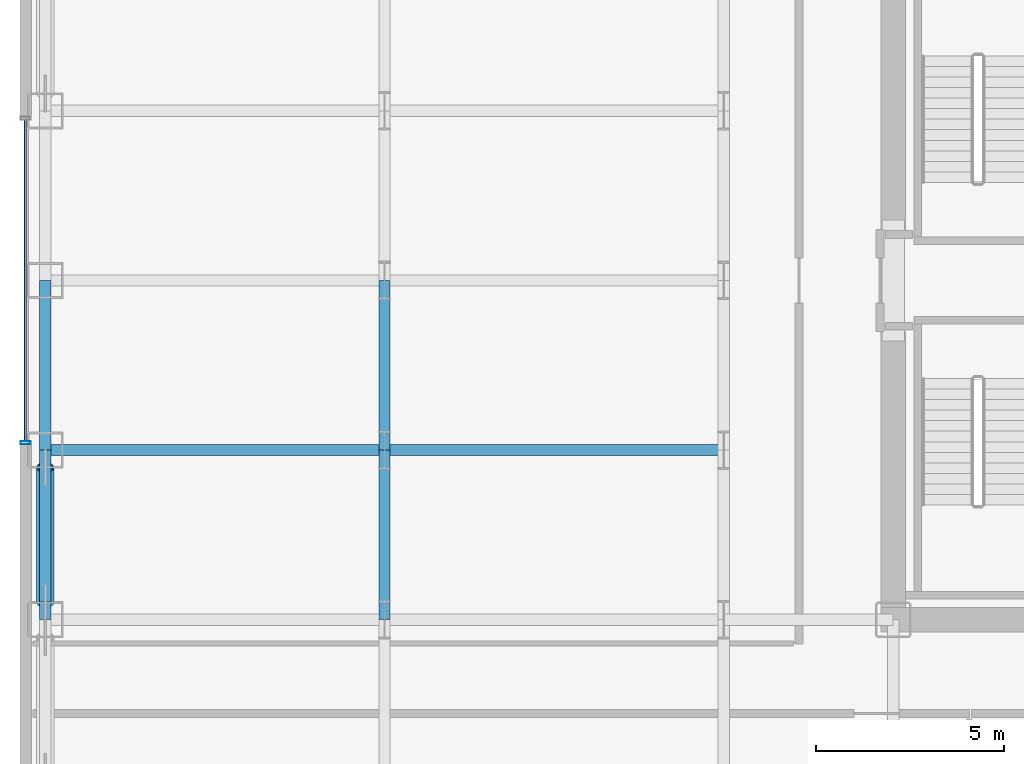
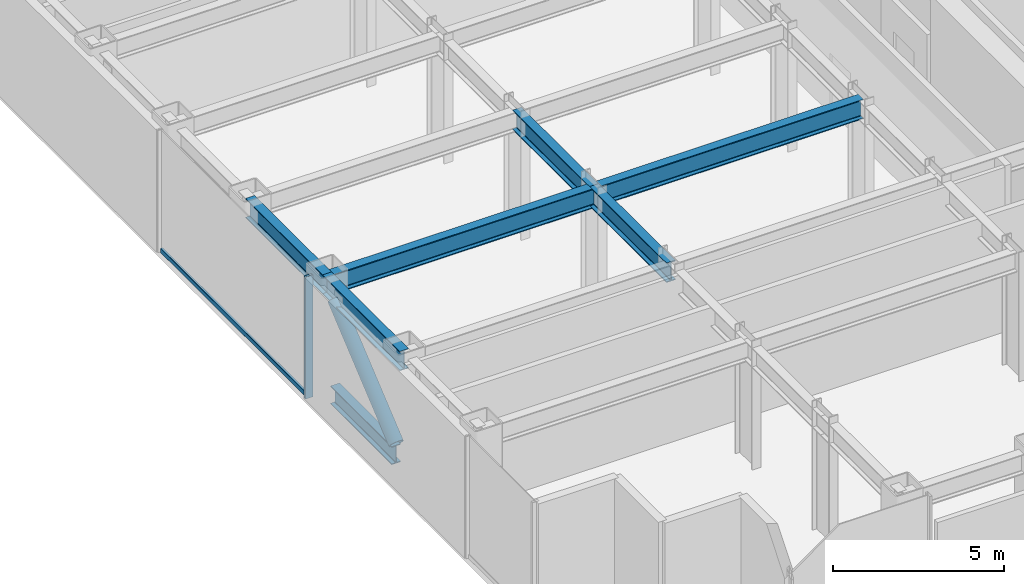
# One storey, part 5 of 30: 6 beams, 4 members, 1 element without a shape of its own.
"""IFC4 building model written with IfcOpenShell, lengths in metres."""

import ifcopenshell
import ifcopenshell.guid

model = None  # the IFC model being written
_history = None  # IfcOwnerHistory: only IFC2X3 demands one
_inside = {}  # id of a spatial element -> (the spatial element, [elements in it])
_under = {}  # id of a project, library or spatial element -> (it, [spatial elements below it])
_declared = {}  # id of a project -> (the project, [libraries it declares])
_typed = {}  # id of a type object -> (the type object, [elements of that type])
_made_of = {}  # id of a material, layer set ... -> (it, [elements and type objects made of it])


def new_model(schema):
    """Start an empty IFC model of exactly this schema.

    Asked for "IFC4X3", IfcOpenShell would pick the latest addendum, in which some entities
    have other attributes; the version numbers below select the first issue.
    IFC2X3 requires an IfcOwnerHistory on every rooted entity: one is made here for all.
    """
    global model, _history
    if schema == "IFC4X3":
        model = ifcopenshell.file(schema_version=(4, 3, 0, 0))
    else:
        model = ifcopenshell.file(schema=schema)
    _inside.clear()
    _under.clear()
    _declared.clear()
    _typed.clear()
    _made_of.clear()
    _history = None
    if model.schema == "IFC2X3":
        org = make("IfcOrganization", Name="unknown")
        user = make(
            "IfcPersonAndOrganization",
            ThePerson=make("IfcPerson", FamilyName="unknown"),
            TheOrganization=org,
        )
        app = make(
            "IfcApplication",
            ApplicationDeveloper=org,
            Version="unknown",
            ApplicationFullName="unknown",
            ApplicationIdentifier="unknown",
        )
        _history = make(
            "IfcOwnerHistory",
            OwningUser=user,
            OwningApplication=app,
            ChangeAction="ADDED",
            CreationDate=0,
        )
    return model


def make(cls, **values):
    """One entity of the class cls with the attributes given. An attribute that is None is left unset."""
    return model.create_entity(
        cls, **{name: value for name, value in values.items() if value is not None}
    )


def rooted(cls, **values):
    """An entity with a GlobalId (a new one), such as an element, a storey or a relation."""
    return make(cls, GlobalId=ifcopenshell.guid.new(), OwnerHistory=_history, **values)


def si_unit(unit_type, name, prefix=None):
    """IfcSIUnit, for example si_unit("LENGTHUNIT", "METRE", prefix="MILLI")."""
    return make("IfcSIUnit", UnitType=unit_type, Prefix=prefix, Name=name)


def assignment(units):
    """IfcUnitAssignment: the units of a project."""
    return None if units is None else make("IfcUnitAssignment", Units=units)


def point(xyz):
    """IfcCartesianPoint."""
    return None if xyz is None else make("IfcCartesianPoint", Coordinates=xyz)


def direction(xyz):
    """IfcDirection."""
    return None if xyz is None else make("IfcDirection", DirectionRatios=xyz)


def frame(location, z_axis=None, x_axis=None):
    """IfcAxis2Placement3D, a coordinate frame: its origin and axes. An axis left out is left unset."""
    return make(
        "IfcAxis2Placement3D",
        Location=point(location),
        Axis=direction(z_axis),
        RefDirection=direction(x_axis),
    )


def frame_2d(location, x_axis=None):
    """IfcAxis2Placement2D, a coordinate frame in the plane: its origin and x axis."""
    return make(
        "IfcAxis2Placement2D", Location=point(location), RefDirection=direction(x_axis)
    )


def origin():
    """The frame at (0, 0, 0) with its axes left unset."""
    return frame((0.0, 0.0, 0.0))


def origin_2d():
    """The frame at (0, 0) in the plane with its x axis left unset."""
    return frame_2d((0.0, 0.0))


def place(relative_to, where):
    """IfcLocalPlacement: puts the frame where relative to a parent placement (None: the world)."""
    return make(
        "IfcLocalPlacement", PlacementRelTo=relative_to, RelativePlacement=where
    )


def context(
    kind, dimensions, precision=None, world=None, true_north=None, identifier=None
):
    """IfcGeometricRepresentationContext, for example the 3D "Model" context."""
    return make(
        "IfcGeometricRepresentationContext",
        ContextIdentifier=identifier,
        ContextType=kind,
        CoordinateSpaceDimension=dimensions,
        Precision=precision,
        WorldCoordinateSystem=world,
        TrueNorth=true_north,
    )


def subcontext(parent, identifier, kind, view, scale=None):
    """IfcGeometricRepresentationSubContext, for example "Body" below "Model"."""
    return make(
        "IfcGeometricRepresentationSubContext",
        ContextIdentifier=identifier,
        ContextType=kind,
        ParentContext=parent,
        TargetScale=scale,
        TargetView=view,
    )


def project(units=None, contexts=None):
    """IfcProject with its units and contexts."""
    return rooted(
        "IfcProject",
        Name="project",
        RepresentationContexts=contexts,
        UnitsInContext=assignment(units),
    )


def spatial(cls, under=None, at=None, **own):
    """A site, building, storey or space (cls), placed at a placement, below another one or the project."""
    s = rooted(cls, ObjectPlacement=at, **own)
    if under is not None:
        _under.setdefault(under.id(), (under, []))[1].append(s)
    return s


def profile(cls, at=None, kind="AREA", **sizes):
    """A parametric profile (cls). Its sizes go by their IFC names, for example OverallWidth=200.0."""
    return make(cls, ProfileType=kind, Position=at, **sizes)


def hollow_rectangle(**sizes):
    """IfcRectangleHollowProfileDef."""
    return profile("IfcRectangleHollowProfileDef", **sizes)


def hollow_circle(**sizes):
    """IfcCircleHollowProfileDef."""
    return profile("IfcCircleHollowProfileDef", **sizes)


def i_section(**sizes):
    """IfcIShapeProfileDef."""
    return profile("IfcIShapeProfileDef", **sizes)


def extrude(swept, where, along, depth):
    """IfcExtrudedAreaSolid: the profile swept, set in the frame where, extruded along a direction by depth."""
    return make(
        "IfcExtrudedAreaSolid",
        SweptArea=swept,
        Position=where,
        ExtrudedDirection=direction(along),
        Depth=depth,
    )


def shape(context_of_items, identifier, shape_type, items):
    """IfcShapeRepresentation: the items that make up one representation, for example the "Body"."""
    return make(
        "IfcShapeRepresentation",
        ContextOfItems=context_of_items,
        RepresentationIdentifier=identifier,
        RepresentationType=shape_type,
        Items=items,
    )


def source(mapping_origin, context_of_items, identifier, shape_type, items):
    """IfcRepresentationMap: a shape defined once, which mapped items show again and again."""
    return make(
        "IfcRepresentationMap",
        MappingOrigin=mapping_origin,
        MappedRepresentation=shape(context_of_items, identifier, shape_type, items),
    )


def transform(
    local_origin,
    x_axis=None,
    y_axis=None,
    z_axis=None,
    scale=None,
    scale2=None,
    scale3=None,
    uniform=True,
):
    """IfcCartesianTransformationOperator3D, or its non-uniform kind. x_axis, y_axis, z_axis: its Axis1, 2, 3."""
    if uniform:
        return make(
            "IfcCartesianTransformationOperator3D",
            Axis1=direction(x_axis),
            Axis2=direction(y_axis),
            LocalOrigin=point(local_origin),
            Scale=scale,
            Axis3=direction(z_axis),
        )
    return make(
        "IfcCartesianTransformationOperator3DnonUniform",
        Axis1=direction(x_axis),
        Axis2=direction(y_axis),
        LocalOrigin=point(local_origin),
        Scale=scale,
        Axis3=direction(z_axis),
        Scale2=scale2,
        Scale3=scale3,
    )


def mapped(mapping_source, mapping_target):
    """IfcMappedItem: shows the shape of a source again, moved by a transform."""
    return make(
        "IfcMappedItem", MappingSource=mapping_source, MappingTarget=mapping_target
    )


def material(Name=None, Category=None):
    """IfcMaterial."""
    return make("IfcMaterial", Name=Name, Category=Category)


def layer(
    of_material, thickness, ventilated=None, Name=None, Category=None, Priority=None
):
    """IfcMaterialLayer: one layer of a wall or slab, of a material (None: an air gap)."""
    return make(
        "IfcMaterialLayer",
        Material=of_material,
        LayerThickness=thickness,
        IsVentilated=ventilated,
        Name=Name,
        Category=Category,
        Priority=Priority,
    )


def layer_set(layers, Name=None):
    """IfcMaterialLayerSet."""
    return make("IfcMaterialLayerSet", MaterialLayers=layers, LayerSetName=Name)


def material_profile(
    of_material, cross_section, Name=None, Category=None, Priority=None
):
    """IfcMaterialProfile: a cross section and its material."""
    return make(
        "IfcMaterialProfile",
        Name=Name,
        Material=of_material,
        Profile=cross_section,
        Priority=Priority,
        Category=Category,
    )


def profile_set(profiles, Name=None, composite=None):
    """IfcMaterialProfileSet."""
    return make(
        "IfcMaterialProfileSet",
        Name=Name,
        MaterialProfiles=profiles,
        CompositeProfile=composite,
    )


def made_of(thing, what):
    """Note that an element or type object is made of a material, layer set ...; save() writes the relation."""
    if what is not None:
        _made_of.setdefault(what.id(), (what, []))[1].append(thing)
    return thing


def type_object(cls, material=None, **own):
    """A type object (cls), such as IfcWallType, which elements share."""
    return made_of(rooted(cls, **own), material)


def element(
    cls,
    number,
    at=None,
    inside=None,
    cuts=None,
    type_object=None,
    material=None,
    context=None,
    identifier="Body",
    shape_type=None,
    held_by="IfcProductDefinitionShape",
    body=None,
    shapes=None,
    **own,
):
    """One element of the class cls, such as IfcWall. Its Tag is "e" and its number.

    at: its placement. inside: the storey or other place that contains it. cuts: it is an
    opening in that element (IfcRelVoidsElement). A single representation is given by context,
    identifier, shape_type and body (its items); several are given by shapes. held_by: the class
    of the entity that holds the representations. save() writes the other relations.
    """
    e = rooted(cls, Tag="e%d" % number, ObjectPlacement=at, **own)
    if body is not None:
        shapes = [shape(context, identifier, shape_type, body)]
    if shapes is not None:
        e.Representation = make(held_by, Representations=shapes)
    if inside is not None:
        _inside.setdefault(inside.id(), (inside, []))[1].append(e)
    if cuts is not None:
        rooted(
            "IfcRelVoidsElement", RelatingBuildingElement=cuts, RelatedOpeningElement=e
        )
    if type_object is not None:
        _typed.setdefault(type_object.id(), (type_object, []))[1].append(e)
    return made_of(e, material)


def aggregate(whole, parts):
    """IfcRelAggregates: a whole, such as a stair, and the parts it consists of."""
    return rooted("IfcRelAggregates", RelatingObject=whole, RelatedObjects=parts)


def save(model, path):
    """Write the relations noted so far, then the file.

    IfcRelAggregates (storeys below a building ...), IfcRelContainedInSpatialStructure (elements
    in a storey), IfcRelDefinesByType, IfcRelAssociatesMaterial and IfcRelDeclares: one each for
    every whole, place, type object, material and project.
    """
    for whole, parts in _under.values():
        aggregate(whole, parts)
    for where, things in _inside.values():
        rooted(
            "IfcRelContainedInSpatialStructure",
            RelatedElements=things,
            RelatingStructure=where,
        )
    for kind, things in _typed.values():
        rooted("IfcRelDefinesByType", RelatedObjects=things, RelatingType=kind)
    for what, things in _made_of.values():
        rooted("IfcRelAssociatesMaterial", RelatedObjects=things, RelatingMaterial=what)
    for by, libraries in _declared.values():
        rooted("IfcRelDeclares", RelatingContext=by, RelatedDefinitions=libraries)
    model.write(path)


model = new_model("IFC4")

# Units and contexts
model_context = context("Model", 3, precision=1e-05, world=origin(), true_north=direction((0.0, 1.0)))
body_context = subcontext(model_context, "Body", "Model", "MODEL_VIEW")
ifc_project = project(units=[si_unit("LENGTHUNIT", "METRE"), si_unit("AREAUNIT", "SQUARE_METRE"), si_unit("VOLUMEUNIT", "CUBIC_METRE"), si_unit("PLANEANGLEUNIT", "RADIAN"), si_unit("MASSUNIT", "GRAM", prefix="KILO")], contexts=[model_context])

# Site, building, storey
site_placement = place(None, origin())
site = spatial("IfcSite", under=ifc_project, at=site_placement, CompositionType="ELEMENT")
building_placement = place(site_placement, origin())
building = spatial("IfcBuilding", under=site, at=building_placement, Name="Nefas-Gora Pilgrimage Tower", CompositionType="ELEMENT")
storey_placement = place(building_placement, frame((0.0, 0.0, 86.199951171875)))
storey = spatial("IfcBuildingStorey", under=building, at=storey_placement, Name="L20", CompositionType="ELEMENT", Elevation=86.199951171875)

# Beams
ifc_material_1 = material(Name="Steel S355", Category="steel")
ifc_material_profile_1 = material_profile(ifc_material_1, i_section(OverallWidth=0.300048828125, OverallDepth=0.699951171875, WebThickness=0.01708984375, FlangeThickness=0.031982421875, FilletRadius=0.027099609375, at=origin_2d()), Name="HEB 700")
ifc_profile_set_1 = profile_set([ifc_material_profile_1], Name="Steel S355")
beam_type_1 = type_object("IfcBeamType", Name="BM-SPN-HEB600", PredefinedType="SPANDREL", material=ifc_profile_set_1)
shared_shape_1 = source(origin(), body_context, "Body", "SweptSolid", [
    extrude(i_section(OverallWidth=0.300048828125, OverallDepth=0.699951171875, WebThickness=0.01708984375, FlangeThickness=0.031982421875, FilletRadius=0.027099609375, at=origin_2d()), origin(), (0.0, 0.0, 1.0), 4.5),
])
for number, where, z_axis, x_axis, name in (
    (1, (-33.75, -9.0, 4.0), (0.0, 1.0, 0.0), (-1.0, 0.0, 0.0), "L20 SP-01 beam"),
    (2, (-33.75, -4.5, 4.0), (0.0, 1.0, 0.0), (-1.0, 0.0, 0.0), "L20 SP-01 beam"),
):
    element("IfcBeam", number, at=place(storey_placement, frame(where, z_axis=z_axis, x_axis=x_axis)), inside=storey, type_object=beam_type_1, Name=name, PredefinedType="SPANDREL", context=body_context, shape_type="MappedRepresentation", body=[
        mapped(shared_shape_1, transform((0.0, 0.0, 0.0), x_axis=(1.0, 0.0, 0.0), y_axis=(0.0, 1.0, 0.0), z_axis=(0.0, 0.0, 1.0), scale=1.0)),
    ])
ifc_material_profile_2 = material_profile(ifc_material_1, i_section(OverallWidth=0.300048828125, OverallDepth=0.699951171875, WebThickness=0.01708984375, FlangeThickness=0.031982421875, FilletRadius=0.027099609375, at=origin_2d()), Name="HEB 700")
ifc_profile_set_2 = profile_set([ifc_material_profile_2], Name="Steel S355")
beam_type_2 = type_object("IfcBeamType", Name="BM-GIR-HEB700", PredefinedType="BEAM", material=ifc_profile_set_2)
shared_shape_2 = source(origin(), body_context, "Body", "SweptSolid", [
    extrude(i_section(OverallWidth=0.300048828125, OverallDepth=0.699951171875, WebThickness=0.01708984375, FlangeThickness=0.031982421875, FilletRadius=0.027099609375, at=origin_2d()), origin(), (0.0, 0.0, 1.0), 9.0),
])
for number, where, z_axis, x_axis, name in (
    (3, (-33.75, -4.5, 4.0), (1.0, 0.0, 0.0), (0.0, 1.0, 0.0), "L20 G-02 beam"),
    (4, (-24.75, -4.5, 4.0), (1.0, 0.0, 0.0), (0.0, 1.0, 0.0), "L20 G-02 beam"),
):
    element("IfcBeam", number, at=place(storey_placement, frame(where, z_axis=z_axis, x_axis=x_axis)), inside=storey, type_object=beam_type_2, Name=name, PredefinedType="BEAM", context=body_context, shape_type="MappedRepresentation", body=[
        mapped(shared_shape_2, transform((0.0, 0.0, 0.0), x_axis=(1.0, 0.0, 0.0), y_axis=(0.0, 1.0, 0.0), z_axis=(0.0, 0.0, 1.0), scale=1.0)),
    ])
shared_shape_3 = source(origin(), body_context, "Body", "SweptSolid", [
    extrude(i_section(OverallWidth=0.300048828125, OverallDepth=0.699951171875, WebThickness=0.01708984375, FlangeThickness=0.031982421875, FilletRadius=0.027099609375, at=origin_2d()), origin(), (0.0, 0.0, 1.0), 4.5),
])
for number, where, z_axis, x_axis, name in (
    (5, (-24.75, -9.0, 4.0), (0.0, 1.0, 0.0), (-1.0, 0.0, 0.0), "L20 G-02 beam"),
    (6, (-24.75, -4.5, 4.0), (0.0, 1.0, 0.0), (-1.0, 0.0, 0.0), "L20 G-02 beam"),
):
    element("IfcBeam", number, at=place(storey_placement, frame(where, z_axis=z_axis, x_axis=x_axis)), inside=storey, type_object=beam_type_2, Name=name, PredefinedType="BEAM", context=body_context, shape_type="MappedRepresentation", body=[
        mapped(shared_shape_3, transform((0.0, 0.0, 0.0), x_axis=(1.0, 0.0, 0.0), y_axis=(0.0, 1.0, 0.0), z_axis=(0.0, 0.0, 1.0), scale=1.0)),
    ])

# Members
ifc_material_2 = material(Name="Steel S460", Category="steel")
ifc_material_profile_3 = material_profile(ifc_material_2, hollow_circle(Radius=0.228515625, WallThickness=0.028076171875, at=origin_2d()), Name="CHS 457x28")
ifc_profile_set_3 = profile_set([ifc_material_profile_3], Name="Steel S460")
member_type_1 = type_object("IfcMemberType", Name="MEM-BELT-457", PredefinedType="BRACE", material=ifc_profile_set_3)
shared_shape_4 = source(origin(), body_context, "Body", "SweptSolid", [
    extrude(hollow_circle(Radius=0.228515625, WallThickness=0.028076171875, at=origin_2d()), origin(), (0.0, 0.0, 1.0), 4.652587890625),
])
member_1_placement = place(storey_placement, frame((-33.75, -8.537109375, 0.73583984375), z_axis=(0.0, 0.768221279597, 0.640184399664), x_axis=(-1.0, 0.0, 0.0)))
element("IfcMember", 7, at=member_1_placement, inside=storey, type_object=member_type_1, Name="L20 Perimeter Belt-Truss Diagonal 2", PredefinedType="BRACE", context=body_context, shape_type="MappedRepresentation", body=[
    mapped(shared_shape_4, transform((0.0, 0.0, 0.0), x_axis=(1.0, 0.0, 0.0), y_axis=(0.0, 1.0, 0.0), z_axis=(0.0, 0.0, 1.0), scale=1.0)),
])
ifc_material_profile_4 = material_profile(ifc_material_2, i_section(OverallWidth=0.300048828125, OverallDepth=0.64990234375, WebThickness=0.01611328125, FlangeThickness=0.031005859375, FilletRadius=0.027099609375, at=origin_2d()), Name="HEB 650")
ifc_profile_set_4 = profile_set([ifc_material_profile_4], Name="Steel S460")
member_type_2 = type_object("IfcMemberType", Name="MEM-BELT-CHORD", PredefinedType="CHORD", material=ifc_profile_set_4)
shared_shape_5 = source(origin(), body_context, "Body", "SweptSolid", [
    extrude(i_section(OverallWidth=0.300048828125, OverallDepth=0.64990234375, WebThickness=0.01611328125, FlangeThickness=0.031005859375, FilletRadius=0.027099609375, at=origin_2d()), origin(), (0.0, 0.0, 1.0), 3.57421875),
])
member_2_placement = place(storey_placement, frame((-33.75, -8.537109375, 0.35009765625), z_axis=(0.0, 1.0, 0.0), x_axis=(-1.0, 0.0, 0.0)))
element("IfcMember", 8, at=member_2_placement, inside=storey, type_object=member_type_2, Name="L20 Perimeter Belt-Truss Bottom Chord 2", PredefinedType="CHORD", context=body_context, shape_type="MappedRepresentation", body=[
    mapped(shared_shape_5, transform((0.0, 0.0, 0.0), x_axis=(1.0, 0.0, 0.0), y_axis=(0.0, 1.0, 0.0), z_axis=(0.0, 0.0, 1.0), scale=1.0)),
])

# Curtain wall, members
ifc_material_3 = material(Name="Dark ceramic-fritted solar-control aluminium-glass curtain wall", Category="aluminium")
ifc_layer = layer(ifc_material_3, 0.219970703125)
ifc_layer_set = layer_set([ifc_layer], Name="Dark ceramic-fritted solar-control aluminium-glass curtain wall")
curtain_wall_type = type_object("IfcCurtainWallType", Name="CW-SYS-2", PredefinedType="NOTDEFINED", material=ifc_layer_set)
curtain_wall_placement = place(storey_placement, origin())
curtain_wall = element("IfcCurtainWall", 9, at=curtain_wall_placement, inside=storey, type_object=curtain_wall_type, Name="L20 Unitised Curtain Wall CW2", PredefinedType="NOTDEFINED")
ifc_material_4 = material(Name="Anodised architectural aluminium", Category="aluminium")
ifc_material_profile_5 = material_profile(ifc_material_4, hollow_rectangle(XDim=0.080078125, YDim=0.159912109375, WallThickness=0.00439453125, InnerFilletRadius=0.00439453125, OuterFilletRadius=0.009033203125, at=origin_2d()), Name="ALU TRANSOM 80x160")
ifc_profile_set_5 = profile_set([ifc_material_profile_5], Name="Anodised architectural aluminium")
member_type_3 = type_object("IfcMemberType", Name="CWM-TRN-2", PredefinedType="USERDEFINED", material=ifc_profile_set_5)
shared_shape_6 = source(origin(), body_context, "Body", "SweptSolid", [
    extrude(hollow_rectangle(XDim=0.080078125, YDim=0.159912109375, WallThickness=0.00439453125, InnerFilletRadius=0.00439453125, OuterFilletRadius=0.009033203125, at=origin_2d()), origin(), (0.0, 0.0, 1.0), 8.52001953125),
])
member_3_placement = place(storey_placement, frame((-34.27001953125, 4.260009765625, 0.050048828125), z_axis=(0.0, -1.0, 0.0), x_axis=(1.0, 0.0, 0.0)))
member_3 = element("IfcMember", 10, at=member_3_placement, type_object=member_type_3, Name="CW2 Spandrel Transom", ObjectType="TRANSOM", PredefinedType="USERDEFINED", context=body_context, shape_type="MappedRepresentation", body=[
    mapped(shared_shape_6, transform((0.0, 0.0, 0.0), x_axis=(1.0, 0.0, 0.0), y_axis=(0.0, 1.0, 0.0), z_axis=(0.0, 0.0, 1.0), scale=1.0)),
])
ifc_material_profile_6 = material_profile(ifc_material_4, hollow_rectangle(XDim=0.090087890625, YDim=0.260009765625, WallThickness=0.006103515625, InnerFilletRadius=0.006103515625, OuterFilletRadius=0.011962890625, at=origin_2d()), Name="ALU MULLION 90x260")
ifc_profile_set_6 = profile_set([ifc_material_profile_6], Name="Anodised architectural aluminium")
member_type_4 = type_object("IfcMemberType", Name="CWM-MUL-2", PredefinedType="MULLION", material=ifc_profile_set_6)
shared_shape_7 = source(origin(), body_context, "Body", "SweptSolid", [
    extrude(hollow_rectangle(XDim=0.090087890625, YDim=0.260009765625, WallThickness=0.006103515625, InnerFilletRadius=0.006103515625, OuterFilletRadius=0.011962890625, at=origin_2d()), origin(), (0.0, 0.0, 1.0), 4.35009765625),
])
member_4_placement = place(storey_placement, frame((-34.27001953125, -4.304931640625, 0.0), z_axis=(0.0, 0.0, 1.0), x_axis=(0.0, -1.0, 0.0)))
member_4 = element("IfcMember", 11, at=member_4_placement, type_object=member_type_4, Name="CW2 Mullion 2", PredefinedType="MULLION", context=body_context, shape_type="MappedRepresentation", body=[
    mapped(shared_shape_7, transform((0.0, 0.0, 0.0), x_axis=(1.0, 0.0, 0.0), y_axis=(0.0, 1.0, 0.0), z_axis=(0.0, 0.0, 1.0), scale=1.0)),
])
aggregate(curtain_wall, [member_4, member_3])

save(model, "model.ifc")
